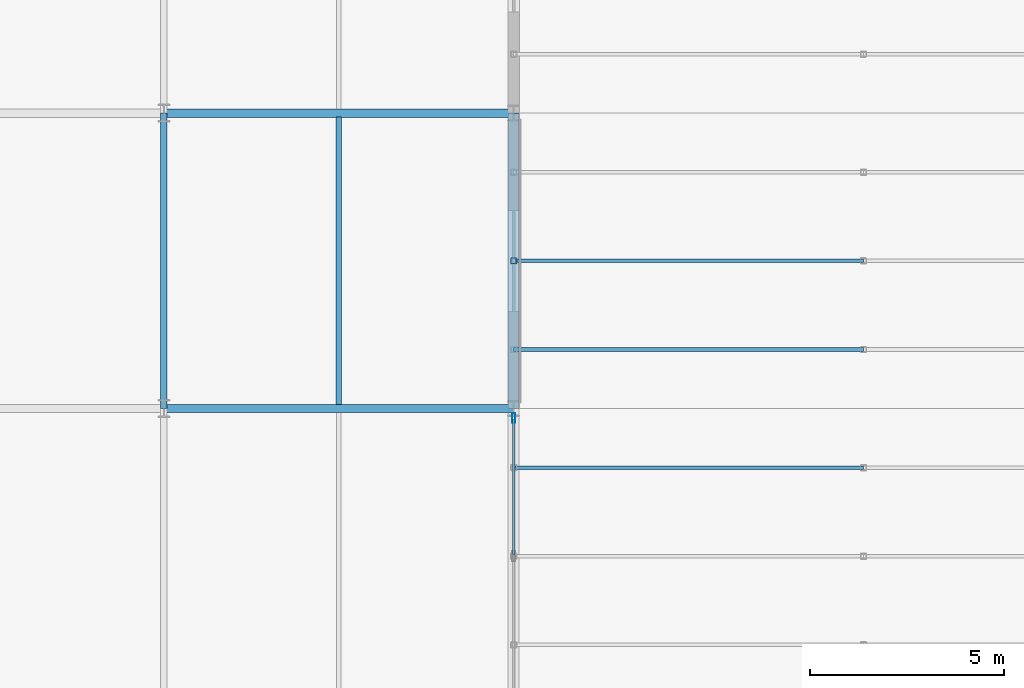
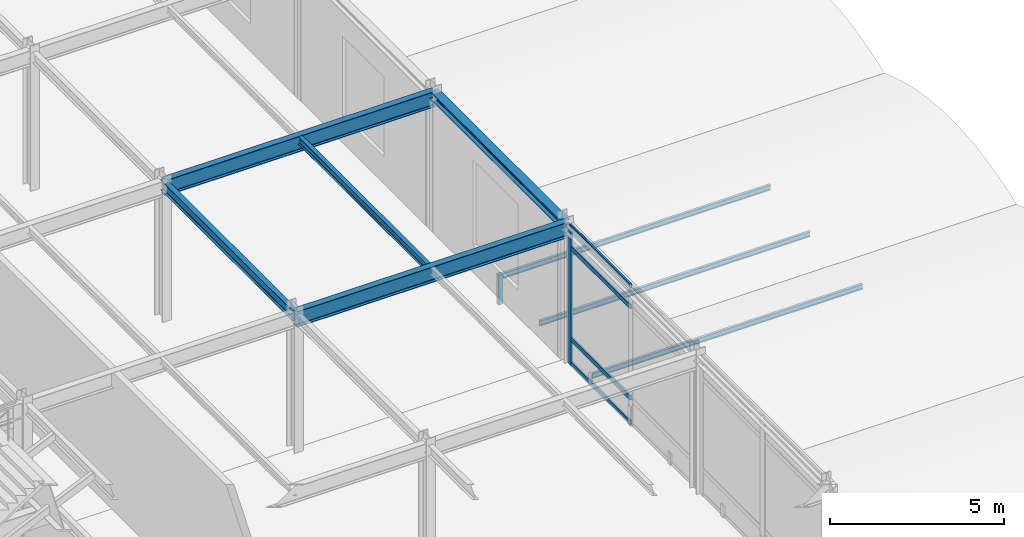
# One storey, part 64 of 113: 9 members, 5 beams, 1 element without a shape of its own.
"""IFC4 building model written with IfcOpenShell, lengths in metres."""

import ifcopenshell
import ifcopenshell.guid

model = None  # the IFC model being written
_history = None  # IfcOwnerHistory: only IFC2X3 demands one
_inside = {}  # id of a spatial element -> (the spatial element, [elements in it])
_under = {}  # id of a project, library or spatial element -> (it, [spatial elements below it])
_declared = {}  # id of a project -> (the project, [libraries it declares])
_typed = {}  # id of a type object -> (the type object, [elements of that type])
_made_of = {}  # id of a material, layer set ... -> (it, [elements and type objects made of it])


def new_model(schema):
    """Start an empty IFC model of exactly this schema.

    Asked for "IFC4X3", IfcOpenShell would pick the latest addendum, in which some entities
    have other attributes; the version numbers below select the first issue.
    IFC2X3 requires an IfcOwnerHistory on every rooted entity: one is made here for all.
    """
    global model, _history
    if schema == "IFC4X3":
        model = ifcopenshell.file(schema_version=(4, 3, 0, 0))
    else:
        model = ifcopenshell.file(schema=schema)
    _inside.clear()
    _under.clear()
    _declared.clear()
    _typed.clear()
    _made_of.clear()
    _history = None
    if model.schema == "IFC2X3":
        org = make("IfcOrganization", Name="unknown")
        user = make(
            "IfcPersonAndOrganization",
            ThePerson=make("IfcPerson", FamilyName="unknown"),
            TheOrganization=org,
        )
        app = make(
            "IfcApplication",
            ApplicationDeveloper=org,
            Version="unknown",
            ApplicationFullName="unknown",
            ApplicationIdentifier="unknown",
        )
        _history = make(
            "IfcOwnerHistory",
            OwningUser=user,
            OwningApplication=app,
            ChangeAction="ADDED",
            CreationDate=0,
        )
    return model


def make(cls, **values):
    """One entity of the class cls with the attributes given. An attribute that is None is left unset."""
    return model.create_entity(
        cls, **{name: value for name, value in values.items() if value is not None}
    )


def rooted(cls, **values):
    """An entity with a GlobalId (a new one), such as an element, a storey or a relation."""
    return make(cls, GlobalId=ifcopenshell.guid.new(), OwnerHistory=_history, **values)


def si_unit(unit_type, name, prefix=None):
    """IfcSIUnit, for example si_unit("LENGTHUNIT", "METRE", prefix="MILLI")."""
    return make("IfcSIUnit", UnitType=unit_type, Prefix=prefix, Name=name)


def assignment(units):
    """IfcUnitAssignment: the units of a project."""
    return None if units is None else make("IfcUnitAssignment", Units=units)


def point(xyz):
    """IfcCartesianPoint."""
    return None if xyz is None else make("IfcCartesianPoint", Coordinates=xyz)


def direction(xyz):
    """IfcDirection."""
    return None if xyz is None else make("IfcDirection", DirectionRatios=xyz)


def frame(location, z_axis=None, x_axis=None):
    """IfcAxis2Placement3D, a coordinate frame: its origin and axes. An axis left out is left unset."""
    return make(
        "IfcAxis2Placement3D",
        Location=point(location),
        Axis=direction(z_axis),
        RefDirection=direction(x_axis),
    )


def frame_2d(location, x_axis=None):
    """IfcAxis2Placement2D, a coordinate frame in the plane: its origin and x axis."""
    return make(
        "IfcAxis2Placement2D", Location=point(location), RefDirection=direction(x_axis)
    )


def origin():
    """The frame at (0, 0, 0) with its axes left unset."""
    return frame((0.0, 0.0, 0.0))


def origin_2d():
    """The frame at (0, 0) in the plane with its x axis left unset."""
    return frame_2d((0.0, 0.0))


def place(relative_to, where):
    """IfcLocalPlacement: puts the frame where relative to a parent placement (None: the world)."""
    return make(
        "IfcLocalPlacement", PlacementRelTo=relative_to, RelativePlacement=where
    )


def context(
    kind, dimensions, precision=None, world=None, true_north=None, identifier=None
):
    """IfcGeometricRepresentationContext, for example the 3D "Model" context."""
    return make(
        "IfcGeometricRepresentationContext",
        ContextIdentifier=identifier,
        ContextType=kind,
        CoordinateSpaceDimension=dimensions,
        Precision=precision,
        WorldCoordinateSystem=world,
        TrueNorth=true_north,
    )


def subcontext(parent, identifier, kind, view, scale=None):
    """IfcGeometricRepresentationSubContext, for example "Body" below "Model"."""
    return make(
        "IfcGeometricRepresentationSubContext",
        ContextIdentifier=identifier,
        ContextType=kind,
        ParentContext=parent,
        TargetScale=scale,
        TargetView=view,
    )


def project(units=None, contexts=None):
    """IfcProject with its units and contexts."""
    return rooted(
        "IfcProject",
        Name="project",
        RepresentationContexts=contexts,
        UnitsInContext=assignment(units),
    )


def spatial(cls, under=None, at=None, **own):
    """A site, building, storey or space (cls), placed at a placement, below another one or the project."""
    s = rooted(cls, ObjectPlacement=at, **own)
    if under is not None:
        _under.setdefault(under.id(), (under, []))[1].append(s)
    return s


def profile(cls, at=None, kind="AREA", **sizes):
    """A parametric profile (cls). Its sizes go by their IFC names, for example OverallWidth=200.0."""
    return make(cls, ProfileType=kind, Position=at, **sizes)


def hollow_rectangle(**sizes):
    """IfcRectangleHollowProfileDef."""
    return profile("IfcRectangleHollowProfileDef", **sizes)


def i_section(**sizes):
    """IfcIShapeProfileDef."""
    return profile("IfcIShapeProfileDef", **sizes)


def extrude(swept, where, along, depth):
    """IfcExtrudedAreaSolid: the profile swept, set in the frame where, extruded along a direction by depth."""
    return make(
        "IfcExtrudedAreaSolid",
        SweptArea=swept,
        Position=where,
        ExtrudedDirection=direction(along),
        Depth=depth,
    )


def shape(context_of_items, identifier, shape_type, items):
    """IfcShapeRepresentation: the items that make up one representation, for example the "Body"."""
    return make(
        "IfcShapeRepresentation",
        ContextOfItems=context_of_items,
        RepresentationIdentifier=identifier,
        RepresentationType=shape_type,
        Items=items,
    )


def material(Name=None, Category=None):
    """IfcMaterial."""
    return make("IfcMaterial", Name=Name, Category=Category)


def layer(
    of_material, thickness, ventilated=None, Name=None, Category=None, Priority=None
):
    """IfcMaterialLayer: one layer of a wall or slab, of a material (None: an air gap)."""
    return make(
        "IfcMaterialLayer",
        Material=of_material,
        LayerThickness=thickness,
        IsVentilated=ventilated,
        Name=Name,
        Category=Category,
        Priority=Priority,
    )


def layer_set(layers, Name=None):
    """IfcMaterialLayerSet."""
    return make("IfcMaterialLayerSet", MaterialLayers=layers, LayerSetName=Name)


def material_profile(
    of_material, cross_section, Name=None, Category=None, Priority=None
):
    """IfcMaterialProfile: a cross section and its material."""
    return make(
        "IfcMaterialProfile",
        Name=Name,
        Material=of_material,
        Profile=cross_section,
        Priority=Priority,
        Category=Category,
    )


def profile_set(profiles, Name=None, composite=None):
    """IfcMaterialProfileSet."""
    return make(
        "IfcMaterialProfileSet",
        Name=Name,
        MaterialProfiles=profiles,
        CompositeProfile=composite,
    )


def made_of(thing, what):
    """Note that an element or type object is made of a material, layer set ...; save() writes the relation."""
    if what is not None:
        _made_of.setdefault(what.id(), (what, []))[1].append(thing)
    return thing


def type_object(cls, material=None, **own):
    """A type object (cls), such as IfcWallType, which elements share."""
    return made_of(rooted(cls, **own), material)


def element(
    cls,
    number,
    at=None,
    inside=None,
    cuts=None,
    type_object=None,
    material=None,
    context=None,
    identifier="Body",
    shape_type=None,
    held_by="IfcProductDefinitionShape",
    body=None,
    shapes=None,
    **own,
):
    """One element of the class cls, such as IfcWall. Its Tag is "e" and its number.

    at: its placement. inside: the storey or other place that contains it. cuts: it is an
    opening in that element (IfcRelVoidsElement). A single representation is given by context,
    identifier, shape_type and body (its items); several are given by shapes. held_by: the class
    of the entity that holds the representations. save() writes the other relations.
    """
    e = rooted(cls, Tag="e%d" % number, ObjectPlacement=at, **own)
    if body is not None:
        shapes = [shape(context, identifier, shape_type, body)]
    if shapes is not None:
        e.Representation = make(held_by, Representations=shapes)
    if inside is not None:
        _inside.setdefault(inside.id(), (inside, []))[1].append(e)
    if cuts is not None:
        rooted(
            "IfcRelVoidsElement", RelatingBuildingElement=cuts, RelatedOpeningElement=e
        )
    if type_object is not None:
        _typed.setdefault(type_object.id(), (type_object, []))[1].append(e)
    return made_of(e, material)


def aggregate(whole, parts):
    """IfcRelAggregates: a whole, such as a stair, and the parts it consists of."""
    return rooted("IfcRelAggregates", RelatingObject=whole, RelatedObjects=parts)


def save(model, path):
    """Write the relations noted so far, then the file.

    IfcRelAggregates (storeys below a building ...), IfcRelContainedInSpatialStructure (elements
    in a storey), IfcRelDefinesByType, IfcRelAssociatesMaterial and IfcRelDeclares: one each for
    every whole, place, type object, material and project.
    """
    for whole, parts in _under.values():
        aggregate(whole, parts)
    for where, things in _inside.values():
        rooted(
            "IfcRelContainedInSpatialStructure",
            RelatedElements=things,
            RelatingStructure=where,
        )
    for kind, things in _typed.values():
        rooted("IfcRelDefinesByType", RelatedObjects=things, RelatingType=kind)
    for what, things in _made_of.values():
        rooted("IfcRelAssociatesMaterial", RelatedObjects=things, RelatingMaterial=what)
    for by, libraries in _declared.values():
        rooted("IfcRelDeclares", RelatingContext=by, RelatedDefinitions=libraries)
    model.write(path)


model = new_model("IFC4")

# Units and contexts
model_context = context("Model", 3, precision=1e-05, world=origin(), true_north=direction((0.0, 1.0)))
body_context = subcontext(model_context, "Body", "Model", "MODEL_VIEW")
ifc_project = project(units=[si_unit("LENGTHUNIT", "METRE"), si_unit("AREAUNIT", "SQUARE_METRE"), si_unit("VOLUMEUNIT", "CUBIC_METRE"), si_unit("PLANEANGLEUNIT", "RADIAN"), si_unit("MASSUNIT", "GRAM", prefix="KILO")], contexts=[model_context])

# Site, building, storey
site_placement = place(None, origin())
site = spatial("IfcSite", under=ifc_project, at=site_placement, CompositionType="ELEMENT")
building_placement = place(site_placement, origin())
building = spatial("IfcBuilding", under=site, at=building_placement, Name="Shalkamar Park Central Library", CompositionType="ELEMENT")
storey_placement = place(building_placement, frame((0.0, 0.0, 5.39990234375)))
storey = spatial("IfcBuildingStorey", under=building, at=storey_placement, Name="L02", CompositionType="ELEMENT", Elevation=5.39990234375)

# Beam
ifc_material_1 = material(Name="Steel S355", Category="steel")
ifc_material_profile_1 = material_profile(ifc_material_1, i_section(OverallWidth=0.135009765625, OverallDepth=0.27001953125, WebThickness=0.006591796875, FlangeThickness=0.01025390625, FilletRadius=0.014892578125, at=origin_2d()), Name="IPE 270")
ifc_profile_set_1 = profile_set([ifc_material_profile_1], Name="Steel S355")
beam_type_1 = type_object("IfcBeamType", Name="Composite Floor Joist IPE270", PredefinedType="JOIST", material=ifc_profile_set_1)
beam_1_placement = place(storey_placement, frame((268.5, 293.302978515625, 4.72509765625), z_axis=(0.0, 1.0, 0.0), x_axis=(-1.0, 0.0, 0.0)))
element("IfcBeam", 1, at=beam_1_placement, inside=storey, type_object=beam_type_1, Name="Composite Joist 19/H-1 (L02)", PredefinedType="JOIST", context=body_context, shape_type="SweptSolid", body=[
    extrude(i_section(OverallWidth=0.135009765625, OverallDepth=0.27001953125, WebThickness=0.006591796875, FlangeThickness=0.01025390625, FilletRadius=0.014892578125, at=origin_2d()), origin(), (0.0, 0.0, 1.0), 7.39404296875),
])

# Curtain wall, members
ifc_material_2 = material(Name="Thermally broken aluminium and triple low-e curtain wall", Category="aluminium")
ifc_layer = layer(ifc_material_2, 0.2548828125)
ifc_layer_set = layer_set([ifc_layer], Name="UnitisedCurtainWall_38")
curtain_wall_type = type_object("IfcCurtainWallType", Name="Unitised Curtain Wall 38", PredefinedType="USERDEFINED", material=ifc_layer_set)
curtain_wall_placement = place(storey_placement, origin())
curtain_wall = element("IfcCurtainWall", 2, at=curtain_wall_placement, inside=storey, type_object=curtain_wall_type, Name="Unitised Curtain Wall CW-L02-044", ObjectType="UNITISED CURTAIN WALL", PredefinedType="USERDEFINED")
ifc_material_3 = material(Name="Aluminium 6060-T66", Category="aluminium")
ifc_material_profile_2 = material_profile(ifc_material_3, hollow_rectangle(XDim=0.080078125, YDim=0.2548828125, WallThickness=0.00439453125, InnerFilletRadius=0.00439453125, OuterFilletRadius=0.0068359375, at=origin_2d()), Name="ALU 80x255x4.5")
ifc_profile_set_2 = profile_set([ifc_material_profile_2], Name="Aluminium 6060-T66")
member_type_1 = type_object("IfcMemberType", Name="Curtain Wall Mullion ALU80x255", PredefinedType="MULLION", material=ifc_profile_set_2)
member_1_placement = place(storey_placement, frame((273.0, 292.9560546875, 0.0), z_axis=(0.0, 0.0, 1.0), x_axis=(-1.0, 0.0, 0.0)))
member_1 = element("IfcMember", 3, at=member_1_placement, type_object=member_type_1, Name="CW-38 mullion 3", PredefinedType="MULLION", context=body_context, shape_type="SweptSolid", body=[
    extrude(hollow_rectangle(XDim=0.080078125, YDim=0.2548828125, WallThickness=0.00439453125, InnerFilletRadius=0.00439453125, OuterFilletRadius=0.0068359375, at=origin_2d()), origin(), (0.0, 0.0, 1.0), 4.860107421875),
])
ifc_material_profile_3 = material_profile(ifc_material_3, hollow_rectangle(XDim=0.06494140625, YDim=0.169921875, WallThickness=0.00390625, InnerFilletRadius=0.00390625, OuterFilletRadius=0.006103515625, at=origin_2d()), Name="ALU 65x170x4")
ifc_profile_set_3 = profile_set([ifc_material_profile_3], Name="Aluminium 6060-T66")
member_type_2 = type_object("IfcMemberType", Name="Curtain Wall Transom ALU65x170", PredefinedType="USERDEFINED", material=ifc_profile_set_3)
member_2_placement = place(storey_placement, frame((273.0, 289.43994140625, 0.03271484375), z_axis=(0.0, 1.0, 0.0), x_axis=(-1.0, 0.0, 0.0)))
member_2 = element("IfcMember", 4, at=member_2_placement, type_object=member_type_2, Name="CW-38 transom 2.1", ObjectType="TRANSOM", PredefinedType="USERDEFINED", context=body_context, shape_type="SweptSolid", body=[
    extrude(hollow_rectangle(XDim=0.06494140625, YDim=0.169921875, WallThickness=0.00390625, InnerFilletRadius=0.00390625, OuterFilletRadius=0.006103515625, at=origin_2d()), origin(), (0.0, 0.0, 1.0), 3.47607421875),
])
member_3_placement = place(storey_placement, frame((273.0, 289.43994140625, 0.900146484375), z_axis=(0.0, 1.0, 0.0), x_axis=(-1.0, 0.0, 0.0)))
member_3 = element("IfcMember", 5, at=member_3_placement, type_object=member_type_2, Name="CW-38 transom 2.2", ObjectType="TRANSOM", PredefinedType="USERDEFINED", context=body_context, shape_type="SweptSolid", body=[
    extrude(hollow_rectangle(XDim=0.06494140625, YDim=0.169921875, WallThickness=0.00390625, InnerFilletRadius=0.00390625, OuterFilletRadius=0.006103515625, at=origin_2d()), origin(), (0.0, 0.0, 1.0), 3.47607421875),
])
member_4_placement = place(storey_placement, frame((273.0, 289.43994140625, 4.110107421875), z_axis=(0.0, 1.0, 0.0), x_axis=(-1.0, 0.0, 0.0)))
member_4 = element("IfcMember", 6, at=member_4_placement, type_object=member_type_2, Name="CW-38 transom 2.3", ObjectType="TRANSOM", PredefinedType="USERDEFINED", context=body_context, shape_type="SweptSolid", body=[
    extrude(hollow_rectangle(XDim=0.06494140625, YDim=0.169921875, WallThickness=0.00390625, InnerFilletRadius=0.00390625, OuterFilletRadius=0.006103515625, at=origin_2d()), origin(), (0.0, 0.0, 1.0), 3.47607421875),
])
member_5_placement = place(storey_placement, frame((273.0, 289.43994140625, 4.82763671875), z_axis=(0.0, 1.0, 0.0), x_axis=(-1.0, 0.0, 0.0)))
member_5 = element("IfcMember", 7, at=member_5_placement, type_object=member_type_2, Name="CW-38 transom 2.4", ObjectType="TRANSOM", PredefinedType="USERDEFINED", context=body_context, shape_type="SweptSolid", body=[
    extrude(hollow_rectangle(XDim=0.06494140625, YDim=0.169921875, WallThickness=0.00390625, InnerFilletRadius=0.00390625, OuterFilletRadius=0.006103515625, at=origin_2d()), origin(), (0.0, 0.0, 1.0), 3.47607421875),
])
aggregate(curtain_wall, [member_1, member_2, member_3, member_4, member_5])

# Member
ifc_material_profile_4 = material_profile(ifc_material_1, hollow_rectangle(XDim=0.14990234375, YDim=0.14990234375, WallThickness=0.008056640625, InnerFilletRadius=0.008056640625, OuterFilletRadius=0.011962890625, at=origin_2d()), Name="SHS 150x150x8")
ifc_profile_set_4 = profile_set([ifc_material_profile_4], Name="Steel S355")
member_type_3 = type_object("IfcMemberType", Name="Diagonal Brace SHS150", PredefinedType="BRACE", material=ifc_profile_set_4)
member_6_placement = place(storey_placement, frame((273.0, 297.0, -0.35986328125), z_axis=(0.0, 0.0, 1.0), x_axis=(1.0, 0.0, 0.0)))
element("IfcMember", 8, at=member_6_placement, inside=storey, type_object=member_type_3, Name="Vault Arch Post BV-L01-E6-20.2", PredefinedType="BRACE", context=body_context, shape_type="SweptSolid", body=[
    extrude(hollow_rectangle(XDim=0.14990234375, YDim=0.14990234375, WallThickness=0.008056640625, InnerFilletRadius=0.008056640625, OuterFilletRadius=0.011962890625, at=origin_2d()), origin(), (0.0, 0.0, 1.0), 1.0400390625),
])

# Beams
ifc_material_profile_5 = material_profile(ifc_material_1, i_section(OverallWidth=0.280029296875, OverallDepth=0.27001953125, WebThickness=0.008056640625, FlangeThickness=0.012939453125, FilletRadius=0.02392578125, at=origin_2d()), Name="HEA 280")
ifc_profile_set_5 = profile_set([ifc_material_profile_5], Name="Steel S355")
beam_type_2 = type_object("IfcBeamType", Name="Perimeter Spandrel Beam HEA280", PredefinedType="SPANDREL", material=ifc_profile_set_5)
beam_2_placement = place(storey_placement, frame((273.0, 293.199951171875, 4.72509765625), z_axis=(0.0, 1.0, 0.0), x_axis=(-1.0, 0.0, 0.0)))
element("IfcBeam", 9, at=beam_2_placement, inside=storey, type_object=beam_type_2, Name="Beam 20:H-J (L02)", PredefinedType="SPANDREL", context=body_context, shape_type="SweptSolid", body=[
    extrude(i_section(OverallWidth=0.280029296875, OverallDepth=0.27001953125, WebThickness=0.008056640625, FlangeThickness=0.012939453125, FilletRadius=0.02392578125, at=origin_2d()), origin(), (0.0, 0.0, 1.0), 7.60009765625),
])
ifc_material_profile_6 = material_profile(ifc_material_1, i_section(OverallWidth=0.169921875, OverallDepth=0.360107421875, WebThickness=0.008056640625, FlangeThickness=0.0126953125, FilletRadius=0.01806640625, at=origin_2d()), Name="IPE 360")
ifc_profile_set_6 = profile_set([ifc_material_profile_6], Name="Steel S355")
beam_type_3 = type_object("IfcBeamType", Name="Primary Girder IPE360", PredefinedType="BEAM", material=ifc_profile_set_6)
beam_3_placement = place(storey_placement, frame((264.0, 293.199951171875, 4.68017578125), z_axis=(0.0, 1.0, 0.0), x_axis=(-1.0, 0.0, 0.0)))
element("IfcBeam", 10, at=beam_3_placement, inside=storey, type_object=beam_type_3, Name="Beam 19:H-J (L02)", PredefinedType="BEAM", context=body_context, shape_type="SweptSolid", body=[
    extrude(i_section(OverallWidth=0.169921875, OverallDepth=0.360107421875, WebThickness=0.008056640625, FlangeThickness=0.0126953125, FilletRadius=0.01806640625, at=origin_2d()), origin(), (0.0, 0.0, 1.0), 7.60009765625),
])
ifc_material_profile_7 = material_profile(ifc_material_1, i_section(OverallWidth=0.2099609375, OverallDepth=0.550048828125, WebThickness=0.010986328125, FlangeThickness=0.01708984375, FilletRadius=0.02392578125, at=origin_2d()), Name="IPE 550")
ifc_profile_set_7 = profile_set([ifc_material_profile_7], Name="Steel S355")
beam_type_4 = type_object("IfcBeamType", Name="Primary Girder IPE550", PredefinedType="BEAM", material=ifc_profile_set_7)
for number, where, z_axis, x_axis, name in (
    (11, (264.0, 293.199951171875, 4.585205078125), (1.0, 0.0, 0.0), (0.0, 1.0, 0.0), "Beam H:19-20 (L02)"),
    (12, (264.0, 300.800048828125, 4.585205078125), (1.0, 0.0, 0.0), (0.0, 1.0, 0.0), "Beam J:19-20 (L02)"),
):
    element("IfcBeam", number, at=place(storey_placement, frame(where, z_axis=z_axis, x_axis=x_axis)), inside=storey, type_object=beam_type_4, Name=name, PredefinedType="BEAM", context=body_context, shape_type="SweptSolid", body=[
        extrude(i_section(OverallWidth=0.2099609375, OverallDepth=0.550048828125, WebThickness=0.010986328125, FlangeThickness=0.01708984375, FilletRadius=0.02392578125, at=origin_2d()), origin(), (0.0, 0.0, 1.0), 9.0),
    ])

# Members
ifc_material_profile_8 = material_profile(ifc_material_1, i_section(OverallWidth=0.091064453125, OverallDepth=0.179931640625, WebThickness=0.00537109375, FlangeThickness=0.008056640625, FilletRadius=0.009033203125, at=origin_2d()), Name="IPE 180")
ifc_profile_set_8 = profile_set([ifc_material_profile_8], Name="Steel S355")
member_type_4 = type_object("IfcMemberType", Name="Roof Purlin IPE180", PredefinedType="PURLIN", material=ifc_profile_set_8)
for number, where, z_axis, x_axis, name in (
    (13, (273.0, 291.679931640625, 0.330810546875), (1.0, 0.0, 0.0), (0.0, 1.0, 0.0), "Barrel Roof Purlin BV-L01-E5-3.20"),
    (14, (273.0, 294.719970703125, 0.330810546875), (1.0, 0.0, 0.0), (0.0, 1.0, 0.0), "Barrel Roof Purlin BV-L01-E6-1.20"),
    (15, (273.0, 297.0, 0.590087890625), (1.0, 0.0, 0.0), (0.0, 1.0, 0.0), "Barrel Roof Purlin BV-L01-E6-2.20"),
):
    element("IfcMember", number, at=place(storey_placement, frame(where, z_axis=z_axis, x_axis=x_axis)), inside=storey, type_object=member_type_4, Name=name, PredefinedType="PURLIN", context=body_context, shape_type="SweptSolid", body=[
        extrude(i_section(OverallWidth=0.091064453125, OverallDepth=0.179931640625, WebThickness=0.00537109375, FlangeThickness=0.008056640625, FilletRadius=0.009033203125, at=origin_2d()), origin(), (0.0, 0.0, 1.0), 9.0),
    ])

save(model, "model.ifc")
